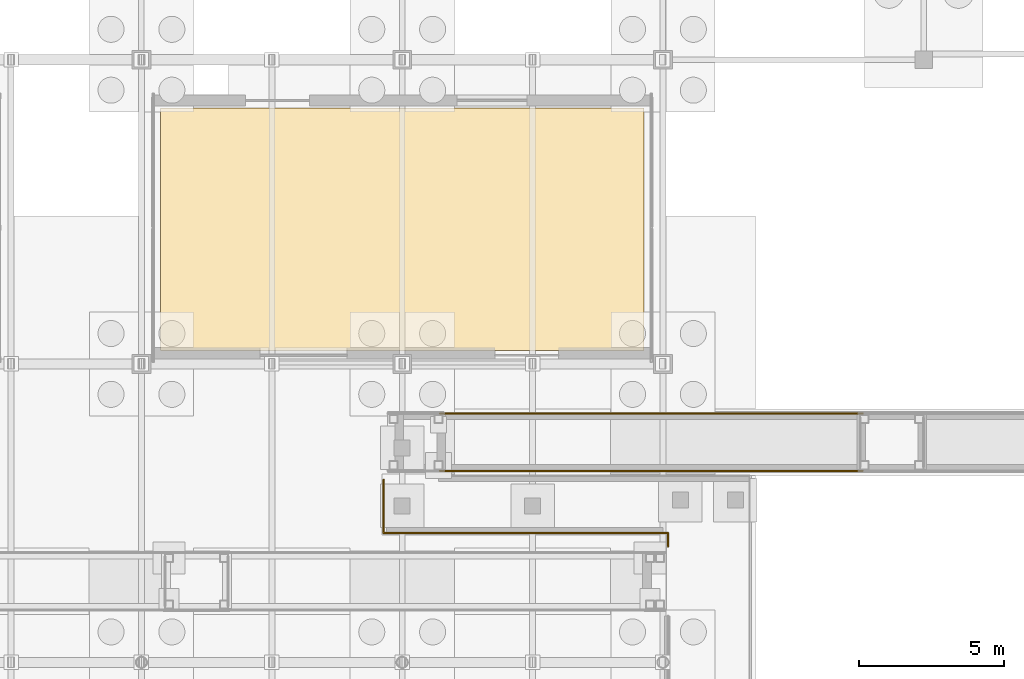
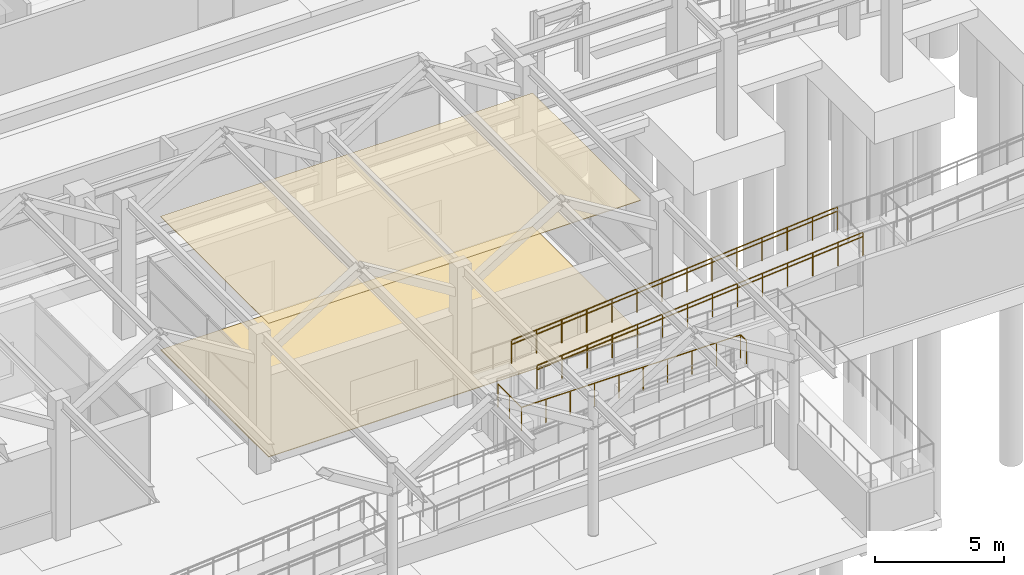
# One storey, part 149 of 160: 5 railings, 2 coverings.
"""IFC4 building model written with IfcOpenShell, lengths in metres."""

from ifc_helpers import new_model, si_unit, direction, frame, origin, origin_2d, place, context, subcontext, project, spatial, polyline, circle, outline, extrude, material, layer, layer_set, type_object, element, save


model = new_model("IFC4")

# Units and contexts
model_context = context("Model", 3, precision=1e-05, world=origin(), true_north=direction((0.0, 1.0)))
body_context = subcontext(model_context, "Body", "Model", "MODEL_VIEW")
ifc_project = project(units=[si_unit("LENGTHUNIT", "METRE"), si_unit("AREAUNIT", "SQUARE_METRE"), si_unit("VOLUMEUNIT", "CUBIC_METRE"), si_unit("PLANEANGLEUNIT", "RADIAN"), si_unit("MASSUNIT", "GRAM", prefix="KILO")], contexts=[model_context])

# Site, building, storey
site_placement = place(None, origin())
site = spatial("IfcSite", under=ifc_project, at=site_placement, CompositionType="ELEMENT")
building_placement = place(site_placement, origin())
building = spatial("IfcBuilding", under=site, at=building_placement, Name="Marlcrest Central Station", CompositionType="ELEMENT")
storey_placement = place(building_placement, origin())
storey = spatial("IfcBuildingStorey", under=building, at=storey_placement, Name="L00", CompositionType="ELEMENT", Elevation=0.0)

# Coverings
ifc_material_1 = material(Name="Perforated acoustic mineral-fibre ceiling")
ifc_layer_1 = layer(ifc_material_1, 0.02490234375, Name="CV-CLG")
ifc_layer_set_1 = layer_set([ifc_layer_1], Name="Perforated acoustic mineral-fibre ceiling")
covering_type_1 = type_object("IfcCoveringType", Name="CV-CLG", PredefinedType="CEILING", material=ifc_layer_set_1)
covering_1_placement = place(storey_placement, frame((0.0, 0.0, 6.324951171875)))
element("IfcCovering", 1, at=covering_1_placement, inside=storey, type_object=covering_type_1, Name="cov-clg-0040", PredefinedType="CEILING", context=body_context, shape_type="SweptSolid", body=[
    extrude(outline(polyline([(62.340087890625, 22.9599609375), (62.340087890625, 31.340087890625), (45.659912109375, 31.340087890625), (45.659912109375, 22.9599609375), (62.340087890625, 22.9599609375)])), origin(), (0.0, 0.0, 1.0), 0.025146484375),
])
ifc_material_2 = material(Name="Polished terrazzo and tactile transit flooring")
ifc_layer_2 = layer(ifc_material_2, 0.030029296875, Name="CV-FLR")
ifc_layer_set_2 = layer_set([ifc_layer_2], Name="Polished terrazzo and tactile transit flooring")
covering_type_2 = type_object("IfcCoveringType", Name="CV-FLR", PredefinedType="FLOORING", material=ifc_layer_set_2)
covering_2_placement = place(storey_placement, origin())
element("IfcCovering", 2, at=covering_2_placement, inside=storey, type_object=covering_type_2, Name="cov-flr-0041", PredefinedType="FLOORING", context=body_context, shape_type="SweptSolid", body=[
    extrude(outline(polyline([(62.340087890625, 22.9599609375), (62.340087890625, 31.340087890625), (45.659912109375, 31.340087890625), (45.659912109375, 22.9599609375), (62.340087890625, 22.9599609375)])), origin(), (0.0, 0.0, 1.0), 0.030029296875),
])

# Railings
ifc_material_3 = material(Name="Galvanized painted steel balustrade", Category="steel")
railing_type_1 = type_object("IfcRailingType", Name="GR-01", PredefinedType="GUARDRAIL", material=ifc_material_3)
railing_1_placement = place(storey_placement, frame((55.300048828125, 18.81005859375, 2.39990234375)))
element("IfcRailing", 3, at=railing_1_placement, inside=storey, type_object=railing_type_1, Name="hr-L00-00305", PredefinedType="GUARDRAIL", context=body_context, shape_type="SweptSolid", body=[
    extrude(circle(Radius=0.02392578125, at=origin_2d()), frame((0.0, 0.0, 1.09619140625), z_axis=(0.996638117857, 0.0, 0.081929616351), x_axis=(0.0, 1.0, 0.0)), (0.0, 0.0, 1.0), 14.649169921875),
    extrude(circle(Radius=0.02099609375, at=origin_2d()), origin(), (0.0, 0.0, 1.0), 1.072021484375),
    extrude(circle(Radius=0.02099609375, at=origin_2d()), frame((1.123046875, 0.0, 0.09228515625)), (0.0, 0.0, 1.0), 1.072021484375),
    extrude(circle(Radius=0.02099609375, at=origin_2d()), frame((2.24609375, 0.0, 0.1845703125)), (0.0, 0.0, 1.0), 1.072021484375),
    extrude(circle(Radius=0.02099609375, at=origin_2d()), frame((3.369140625, 0.0, 0.27685546875)), (0.0, 0.0, 1.0), 1.072021484375),
    extrude(circle(Radius=0.02099609375, at=origin_2d()), frame((4.4921875, 0.0, 0.369384765625)), (0.0, 0.0, 1.0), 1.072021484375),
    extrude(circle(Radius=0.02099609375, at=origin_2d()), frame((5.615234375, 0.0, 0.461669921875)), (0.0, 0.0, 1.0), 1.072021484375),
    extrude(circle(Radius=0.02099609375, at=origin_2d()), frame((6.73828125, 0.0, 0.553955078125)), (0.0, 0.0, 1.0), 1.072021484375),
    extrude(circle(Radius=0.02099609375, at=origin_2d()), frame((7.861572265625, 0.0, 0.646240234375)), (0.0, 0.0, 1.0), 1.072021484375),
    extrude(circle(Radius=0.02099609375, at=origin_2d()), frame((8.984619140625, 0.0, 0.738525390625)), (0.0, 0.0, 1.0), 1.072021484375),
    extrude(circle(Radius=0.02099609375, at=origin_2d()), frame((10.107666015625, 0.0, 0.830810546875)), (0.0, 0.0, 1.0), 1.072021484375),
    extrude(circle(Radius=0.02099609375, at=origin_2d()), frame((11.230712890625, 0.0, 0.92333984375)), (0.0, 0.0, 1.0), 1.072021484375),
    extrude(circle(Radius=0.02099609375, at=origin_2d()), frame((12.353759765625, 0.0, 1.015625)), (0.0, 0.0, 1.0), 1.072021484375),
    extrude(circle(Radius=0.02099609375, at=origin_2d()), frame((13.476806640625, 0.0, 1.10791015625)), (0.0, 0.0, 1.0), 1.072021484375),
    extrude(circle(Radius=0.02099609375, at=origin_2d()), frame((14.599853515625, 0.0, 1.2001953125)), (0.0, 0.0, 1.0), 1.072021484375),
])
railing_2_placement = place(storey_placement, frame((55.300048828125, 20.7900390625, 2.39990234375)))
element("IfcRailing", 4, at=railing_2_placement, inside=storey, type_object=railing_type_1, Name="hr-L00-00307", PredefinedType="GUARDRAIL", context=body_context, shape_type="SweptSolid", body=[
    extrude(circle(Radius=0.02392578125, at=origin_2d()), frame((0.0, 0.0, 1.09619140625), z_axis=(0.996638117857, 0.0, 0.081929616351), x_axis=(0.0, 1.0, 0.0)), (0.0, 0.0, 1.0), 14.649169921875),
    extrude(circle(Radius=0.02099609375, at=origin_2d()), origin(), (0.0, 0.0, 1.0), 1.072021484375),
    extrude(circle(Radius=0.02099609375, at=origin_2d()), frame((1.123046875, 0.0, 0.09228515625)), (0.0, 0.0, 1.0), 1.072021484375),
    extrude(circle(Radius=0.02099609375, at=origin_2d()), frame((2.24609375, 0.0, 0.1845703125)), (0.0, 0.0, 1.0), 1.072021484375),
    extrude(circle(Radius=0.02099609375, at=origin_2d()), frame((3.369140625, 0.0, 0.27685546875)), (0.0, 0.0, 1.0), 1.072021484375),
    extrude(circle(Radius=0.02099609375, at=origin_2d()), frame((4.4921875, 0.0, 0.369384765625)), (0.0, 0.0, 1.0), 1.072021484375),
    extrude(circle(Radius=0.02099609375, at=origin_2d()), frame((5.615234375, 0.0, 0.461669921875)), (0.0, 0.0, 1.0), 1.072021484375),
    extrude(circle(Radius=0.02099609375, at=origin_2d()), frame((6.73828125, 0.0, 0.553955078125)), (0.0, 0.0, 1.0), 1.072021484375),
    extrude(circle(Radius=0.02099609375, at=origin_2d()), frame((7.861572265625, 0.0, 0.646240234375)), (0.0, 0.0, 1.0), 1.072021484375),
    extrude(circle(Radius=0.02099609375, at=origin_2d()), frame((8.984619140625, 0.0, 0.738525390625)), (0.0, 0.0, 1.0), 1.072021484375),
    extrude(circle(Radius=0.02099609375, at=origin_2d()), frame((10.107666015625, 0.0, 0.830810546875)), (0.0, 0.0, 1.0), 1.072021484375),
    extrude(circle(Radius=0.02099609375, at=origin_2d()), frame((11.230712890625, 0.0, 0.92333984375)), (0.0, 0.0, 1.0), 1.072021484375),
    extrude(circle(Radius=0.02099609375, at=origin_2d()), frame((12.353759765625, 0.0, 1.015625)), (0.0, 0.0, 1.0), 1.072021484375),
    extrude(circle(Radius=0.02099609375, at=origin_2d()), frame((13.476806640625, 0.0, 1.10791015625)), (0.0, 0.0, 1.0), 1.072021484375),
    extrude(circle(Radius=0.02099609375, at=origin_2d()), frame((14.599853515625, 0.0, 1.2001953125)), (0.0, 0.0, 1.0), 1.072021484375),
])
railing_3_placement = place(storey_placement, frame((63.179931640625, 16.199951171875, 2.39990234375)))
element("IfcRailing", 5, at=railing_3_placement, inside=storey, type_object=railing_type_1, Name="hr-L00-00372", PredefinedType="GUARDRAIL", context=body_context, shape_type="SweptSolid", body=[
    extrude(circle(Radius=0.02392578125, at=origin_2d()), frame((0.0, 0.0, 1.09619140625), z_axis=(0.0, 1.0, 0.0), x_axis=(-1.0, 0.0, 0.0)), (0.0, 0.0, 1.0), 0.4599609375),
    extrude(circle(Radius=0.02392578125, at=origin_2d()), frame((0.0, 0.4599609375, 1.09619140625), z_axis=(-1.0, 0.0, 0.0), x_axis=(0.0, -1.0, 0.0)), (0.0, 0.0, 1.0), 9.81982421875),
    extrude(circle(Radius=0.02392578125, at=origin_2d()), frame((-9.81982421875, 0.4599609375, 1.09619140625), z_axis=(0.0, 1.0, 0.0), x_axis=(-1.0, 0.0, 0.0)), (0.0, 0.0, 1.0), 1.840087890625),
    extrude(circle(Radius=0.02099609375, at=origin_2d()), origin(), (0.0, 0.0, 1.0), 1.072021484375),
    extrude(circle(Radius=0.02099609375, at=origin_2d()), frame((0.0, 0.4599609375, 0.0)), (0.0, 0.0, 1.0), 1.072021484375),
    extrude(circle(Radius=0.02099609375, at=origin_2d()), frame((-1.091064453125, 0.4599609375, 0.0)), (0.0, 0.0, 1.0), 1.072021484375),
    extrude(circle(Radius=0.02099609375, at=origin_2d()), frame((-2.18212890625, 0.4599609375, 0.0)), (0.0, 0.0, 1.0), 1.072021484375),
    extrude(circle(Radius=0.02099609375, at=origin_2d()), frame((-3.273193359375, 0.4599609375, 0.0)), (0.0, 0.0, 1.0), 1.072021484375),
    extrude(circle(Radius=0.02099609375, at=origin_2d()), frame((-4.3642578125, 0.4599609375, 0.0)), (0.0, 0.0, 1.0), 1.072021484375),
    extrude(circle(Radius=0.02099609375, at=origin_2d()), frame((-5.45556640625, 0.4599609375, 0.0)), (0.0, 0.0, 1.0), 1.072021484375),
    extrude(circle(Radius=0.02099609375, at=origin_2d()), frame((-6.546630859375, 0.4599609375, 0.0)), (0.0, 0.0, 1.0), 1.072021484375),
    extrude(circle(Radius=0.02099609375, at=origin_2d()), frame((-7.6376953125, 0.4599609375, 0.0)), (0.0, 0.0, 1.0), 1.072021484375),
    extrude(circle(Radius=0.02099609375, at=origin_2d()), frame((-8.728759765625, 0.4599609375, 0.0)), (0.0, 0.0, 1.0), 1.072021484375),
    extrude(circle(Radius=0.02099609375, at=origin_2d()), frame((-9.81982421875, 0.4599609375, 0.0)), (0.0, 0.0, 1.0), 1.072021484375),
    extrude(circle(Radius=0.02099609375, at=origin_2d()), frame((-9.81982421875, 1.3798828125, 0.0)), (0.0, 0.0, 1.0), 1.072021484375),
    extrude(circle(Radius=0.02099609375, at=origin_2d()), frame((-9.81982421875, 2.300048828125, 0.0)), (0.0, 0.0, 1.0), 1.072021484375),
])
ifc_material_4 = material(Name="Brushed stainless steel handrail", Category="steel")
railing_type_2 = type_object("IfcRailingType", Name="HR-01", PredefinedType="HANDRAIL", material=ifc_material_4)
railing_4_placement = place(storey_placement, frame((55.300048828125, 18.81005859375, 2.39990234375)))
element("IfcRailing", 6, at=railing_4_placement, inside=storey, type_object=railing_type_2, Name="hr-L00-00304", PredefinedType="HANDRAIL", context=body_context, shape_type="SweptSolid", body=[
    extrude(circle(Radius=0.02392578125, at=origin_2d()), frame((0.0, 0.0, 0.89599609375), z_axis=(0.996638117857, 0.0, 0.081929616351), x_axis=(0.0, 1.0, 0.0)), (0.0, 0.0, 1.0), 14.649169921875),
    extrude(circle(Radius=0.02099609375, at=origin_2d()), origin(), (0.0, 0.0, 1.0), 0.871826171875),
    extrude(circle(Radius=0.02099609375, at=origin_2d()), frame((1.123046875, 0.0, 0.09228515625)), (0.0, 0.0, 1.0), 0.871826171875),
    extrude(circle(Radius=0.02099609375, at=origin_2d()), frame((2.24609375, 0.0, 0.1845703125)), (0.0, 0.0, 1.0), 0.871826171875),
    extrude(circle(Radius=0.02099609375, at=origin_2d()), frame((3.369140625, 0.0, 0.27685546875)), (0.0, 0.0, 1.0), 0.871826171875),
    extrude(circle(Radius=0.02099609375, at=origin_2d()), frame((4.4921875, 0.0, 0.369384765625)), (0.0, 0.0, 1.0), 0.871826171875),
    extrude(circle(Radius=0.02099609375, at=origin_2d()), frame((5.615234375, 0.0, 0.461669921875)), (0.0, 0.0, 1.0), 0.871826171875),
    extrude(circle(Radius=0.02099609375, at=origin_2d()), frame((6.73828125, 0.0, 0.553955078125)), (0.0, 0.0, 1.0), 0.871826171875),
    extrude(circle(Radius=0.02099609375, at=origin_2d()), frame((7.861572265625, 0.0, 0.646240234375)), (0.0, 0.0, 1.0), 0.871826171875),
    extrude(circle(Radius=0.02099609375, at=origin_2d()), frame((8.984619140625, 0.0, 0.738525390625)), (0.0, 0.0, 1.0), 0.871826171875),
    extrude(circle(Radius=0.02099609375, at=origin_2d()), frame((10.107666015625, 0.0, 0.830810546875)), (0.0, 0.0, 1.0), 0.871826171875),
    extrude(circle(Radius=0.02099609375, at=origin_2d()), frame((11.230712890625, 0.0, 0.92333984375)), (0.0, 0.0, 1.0), 0.871826171875),
    extrude(circle(Radius=0.02099609375, at=origin_2d()), frame((12.353759765625, 0.0, 1.015625)), (0.0, 0.0, 1.0), 0.871826171875),
    extrude(circle(Radius=0.02099609375, at=origin_2d()), frame((13.476806640625, 0.0, 1.10791015625)), (0.0, 0.0, 1.0), 0.871826171875),
    extrude(circle(Radius=0.02099609375, at=origin_2d()), frame((14.599853515625, 0.0, 1.2001953125)), (0.0, 0.0, 1.0), 0.871826171875),
])
railing_5_placement = place(storey_placement, frame((55.300048828125, 20.7900390625, 2.39990234375)))
element("IfcRailing", 7, at=railing_5_placement, inside=storey, type_object=railing_type_2, Name="hr-L00-00306", PredefinedType="HANDRAIL", context=body_context, shape_type="SweptSolid", body=[
    extrude(circle(Radius=0.02392578125, at=origin_2d()), frame((0.0, 0.0, 0.89599609375), z_axis=(0.996638117857, 0.0, 0.081929616351), x_axis=(0.0, 1.0, 0.0)), (0.0, 0.0, 1.0), 14.649169921875),
    extrude(circle(Radius=0.02099609375, at=origin_2d()), origin(), (0.0, 0.0, 1.0), 0.871826171875),
    extrude(circle(Radius=0.02099609375, at=origin_2d()), frame((1.123046875, 0.0, 0.09228515625)), (0.0, 0.0, 1.0), 0.871826171875),
    extrude(circle(Radius=0.02099609375, at=origin_2d()), frame((2.24609375, 0.0, 0.1845703125)), (0.0, 0.0, 1.0), 0.871826171875),
    extrude(circle(Radius=0.02099609375, at=origin_2d()), frame((3.369140625, 0.0, 0.27685546875)), (0.0, 0.0, 1.0), 0.871826171875),
    extrude(circle(Radius=0.02099609375, at=origin_2d()), frame((4.4921875, 0.0, 0.369384765625)), (0.0, 0.0, 1.0), 0.871826171875),
    extrude(circle(Radius=0.02099609375, at=origin_2d()), frame((5.615234375, 0.0, 0.461669921875)), (0.0, 0.0, 1.0), 0.871826171875),
    extrude(circle(Radius=0.02099609375, at=origin_2d()), frame((6.73828125, 0.0, 0.553955078125)), (0.0, 0.0, 1.0), 0.871826171875),
    extrude(circle(Radius=0.02099609375, at=origin_2d()), frame((7.861572265625, 0.0, 0.646240234375)), (0.0, 0.0, 1.0), 0.871826171875),
    extrude(circle(Radius=0.02099609375, at=origin_2d()), frame((8.984619140625, 0.0, 0.738525390625)), (0.0, 0.0, 1.0), 0.871826171875),
    extrude(circle(Radius=0.02099609375, at=origin_2d()), frame((10.107666015625, 0.0, 0.830810546875)), (0.0, 0.0, 1.0), 0.871826171875),
    extrude(circle(Radius=0.02099609375, at=origin_2d()), frame((11.230712890625, 0.0, 0.92333984375)), (0.0, 0.0, 1.0), 0.871826171875),
    extrude(circle(Radius=0.02099609375, at=origin_2d()), frame((12.353759765625, 0.0, 1.015625)), (0.0, 0.0, 1.0), 0.871826171875),
    extrude(circle(Radius=0.02099609375, at=origin_2d()), frame((13.476806640625, 0.0, 1.10791015625)), (0.0, 0.0, 1.0), 0.871826171875),
    extrude(circle(Radius=0.02099609375, at=origin_2d()), frame((14.599853515625, 0.0, 1.2001953125)), (0.0, 0.0, 1.0), 0.871826171875),
])

save(model, "model.ifc")
